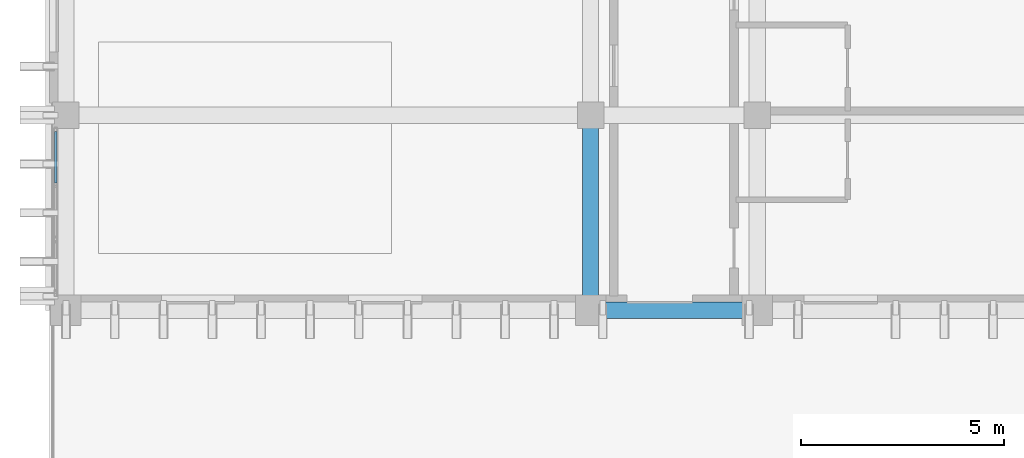
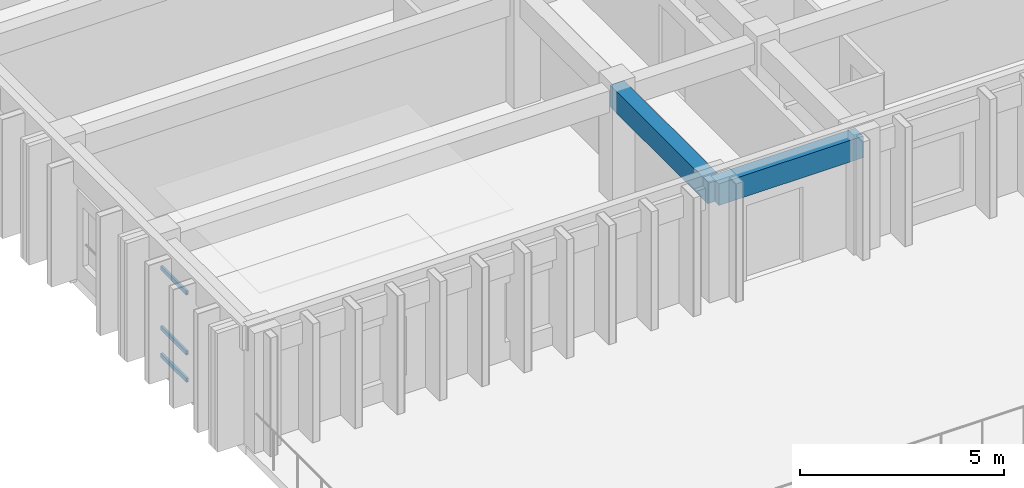
# One storey, part 3 of 64: 3 members, 2 beams, 1 element without a shape of its own.
"""IFC4 building model written with IfcOpenShell, lengths in metres."""

from ifc_helpers import new_model, si_unit, direction, frame, origin, origin_2d, place, context, subcontext, project, spatial, rectangle, hollow_rectangle, extrude, material, layer, layer_set, material_profile, profile_set, type_object, element, aggregate, save


model = new_model("IFC4")

# Units and contexts
model_context = context("Model", 3, precision=1e-05, world=origin(), true_north=direction((0.0, 1.0)))
body_context = subcontext(model_context, "Body", "Model", "MODEL_VIEW")
ifc_project = project(units=[si_unit("LENGTHUNIT", "METRE"), si_unit("AREAUNIT", "SQUARE_METRE"), si_unit("VOLUMEUNIT", "CUBIC_METRE"), si_unit("PLANEANGLEUNIT", "RADIAN"), si_unit("MASSUNIT", "GRAM", prefix="KILO")], contexts=[model_context])

# Site, building, storey
site_placement = place(None, origin())
site = spatial("IfcSite", under=ifc_project, at=site_placement, CompositionType="ELEMENT")
building_placement = place(site_placement, origin())
building = spatial("IfcBuilding", under=site, at=building_placement, Name="Nakhvara Creek Congress Hotel", CompositionType="ELEMENT")
storey_placement = place(building_placement, frame((0.0, 0.0, 28.199951171875)))
storey = spatial("IfcBuildingStorey", under=building, at=storey_placement, Name="L06", CompositionType="ELEMENT", Elevation=28.199951171875)

# Beams
ifc_material_1 = material(Name="Concrete C40/50", Category="concrete")
ifc_material_profile_1 = material_profile(ifc_material_1, rectangle(XDim=0.39990234375, YDim=0.64990234375, at=origin_2d()), Name="RC-BM 400x650", Category="LoadBearing")
ifc_profile_set_1 = profile_set([ifc_material_profile_1], Name="Concrete C40/50")
beam_type = type_object("IfcBeamType", Name="BM-RC-400X650", PredefinedType="BEAM", material=ifc_profile_set_1)
beam_1_placement = place(storey_placement, frame((162.35009765625, 38.39990234375, 3.01513671875), z_axis=(1.0, 0.0, 0.0), x_axis=(0.0, 1.0, 0.0)))
element("IfcBeam", 1, at=beam_1_placement, inside=storey, type_object=beam_type, Name="Beam B06-L06-2219", PredefinedType="BEAM", context=body_context, shape_type="SweptSolid", body=[
    extrude(rectangle(XDim=0.39990234375, YDim=0.64990234375, at=origin_2d()), origin(), (0.0, 0.0, 1.0), 4.099853515625),
])
beam_2_placement = place(storey_placement, frame((162.35009765625, 38.39990234375, 3.01513671875), z_axis=(0.0, 1.0, 0.0), x_axis=(-1.0, 0.0, 0.0)))
element("IfcBeam", 2, at=beam_2_placement, inside=storey, type_object=beam_type, Name="Beam B06-L06-2220", PredefinedType="BEAM", context=body_context, shape_type="SweptSolid", body=[
    extrude(rectangle(XDim=0.39990234375, YDim=0.64990234375, at=origin_2d()), origin(), (0.0, 0.0, 1.0), 4.800048828125),
])

# Curtain wall, members
ifc_material_2 = material(Name="Bronze-anodised aluminium AW-6063-T6 and double-silver low-E glass", Category="aluminium")
ifc_layer = layer(ifc_material_2, 0.199951171875)
ifc_layer_set = layer_set([ifc_layer], Name="Bronze-anodised aluminium AW-6063-T6 and double-silver low-E glass")
curtain_wall_type = type_object("IfcCurtainWallType", Name="CW-HTL-UNIT", PredefinedType="USERDEFINED", material=ifc_layer_set)
curtain_wall_placement = place(storey_placement, origin())
curtain_wall = element("IfcCurtainWall", 3, at=curtain_wall_placement, inside=storey, type_object=curtain_wall_type, Name="Curtain Wall CW230", ObjectType="UNITISED", PredefinedType="USERDEFINED")
ifc_material_3 = material(Name="Bronze-anodised aluminium AW-6063-T6", Category="aluminium")
ifc_material_profile_2 = material_profile(ifc_material_3, hollow_rectangle(XDim=0.06494140625, YDim=0.1201171875, WallThickness=0.00390625, at=origin_2d()), Name="ALU-TRAN 65x120x4", Category="LoadBearing")
ifc_profile_set_2 = profile_set([ifc_material_profile_2], Name="Bronze-anodised aluminium AW-6063-T6")
member_type = type_object("IfcMemberType", Name="CW-TRAN-120", PredefinedType="USERDEFINED", material=ifc_profile_set_2)
member_1_placement = place(storey_placement, frame((149.199951171875, 41.535888671875, 0.032470703125), z_axis=(0.0, 1.0, 0.0), x_axis=(-1.0, 0.0, 0.0)))
member_1 = element("IfcMember", 4, at=member_1_placement, type_object=member_type, Name="CW230 transom 3.1", ObjectType="TRANSOM", PredefinedType="USERDEFINED", context=body_context, shape_type="SweptSolid", body=[
    extrude(hollow_rectangle(XDim=0.06494140625, YDim=0.1201171875, WallThickness=0.00390625, at=origin_2d()), origin(), (0.0, 0.0, 1.0), 1.259033203125),
])
member_2_placement = place(storey_placement, frame((149.199951171875, 41.535888671875, 0.85009765625), z_axis=(0.0, 1.0, 0.0), x_axis=(-1.0, 0.0, 0.0)))
member_2 = element("IfcMember", 5, at=member_2_placement, type_object=member_type, Name="CW230 transom 3.2", ObjectType="TRANSOM", PredefinedType="USERDEFINED", context=body_context, shape_type="SweptSolid", body=[
    extrude(hollow_rectangle(XDim=0.06494140625, YDim=0.1201171875, WallThickness=0.00390625, at=origin_2d()), origin(), (0.0, 0.0, 1.0), 1.259033203125),
])
member_3_placement = place(storey_placement, frame((149.199951171875, 41.535888671875, 2.649658203125), z_axis=(0.0, 1.0, 0.0), x_axis=(-1.0, 0.0, 0.0)))
member_3 = element("IfcMember", 6, at=member_3_placement, type_object=member_type, Name="CW230 transom 3.3", ObjectType="TRANSOM", PredefinedType="USERDEFINED", context=body_context, shape_type="SweptSolid", body=[
    extrude(hollow_rectangle(XDim=0.06494140625, YDim=0.1201171875, WallThickness=0.00390625, at=origin_2d()), origin(), (0.0, 0.0, 1.0), 1.259033203125),
])
aggregate(curtain_wall, [member_1, member_2, member_3])

save(model, "model.ifc")
